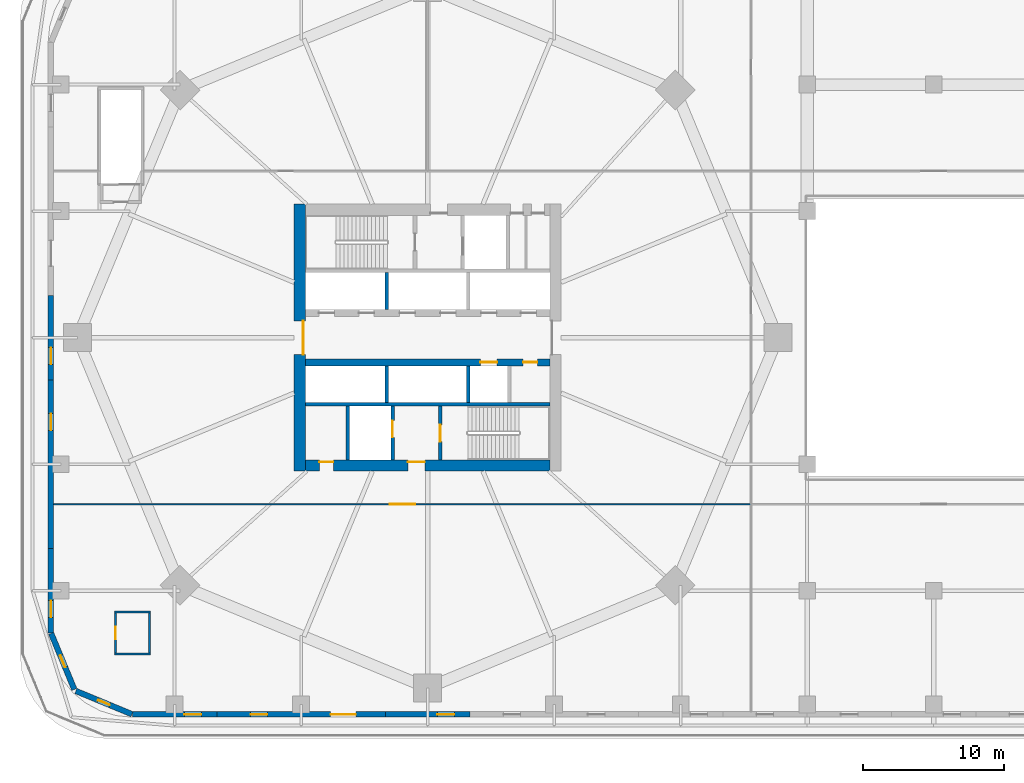
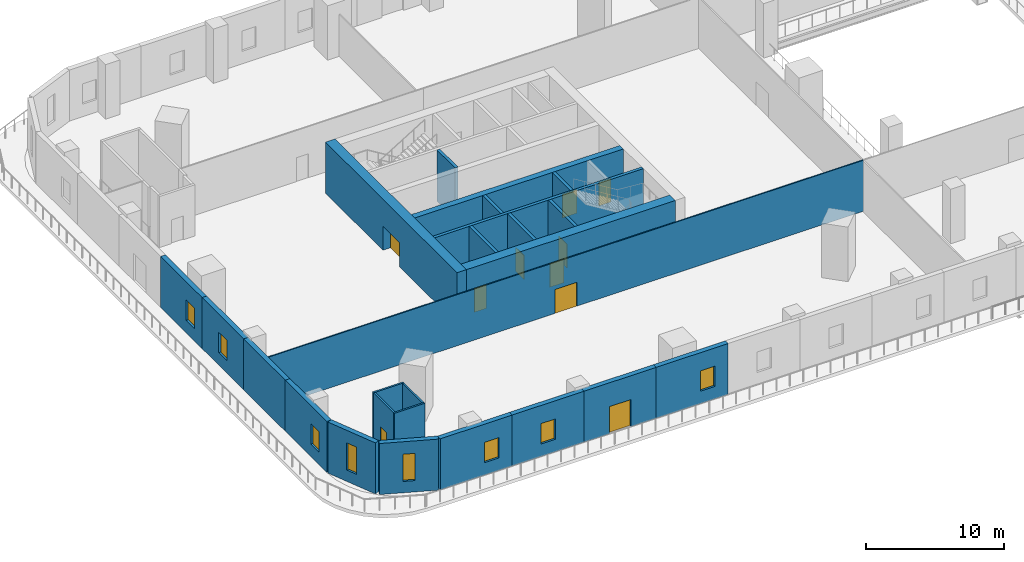
# One storey, part 4 of 16: 25 walls, 10 doors, 8 windows, 18 openings.
"""IFC4 building model written with IfcOpenShell, lengths in metres."""

from ifc_helpers import new_model, si_unit, direction, frame, frame_2d, origin, place, context, subcontext, project, spatial, rectangle, extrude, material, layer, layer_set, type_object, element, fill, save


model = new_model("IFC4")

# Units and contexts
model_context = context("Model", 3, precision=1e-05, world=origin(), true_north=direction((0.0, 1.0)))
body_context = subcontext(model_context, "Body", "Model", "MODEL_VIEW")
ifc_project = project(units=[si_unit("LENGTHUNIT", "METRE"), si_unit("AREAUNIT", "SQUARE_METRE"), si_unit("VOLUMEUNIT", "CUBIC_METRE"), si_unit("PLANEANGLEUNIT", "RADIAN"), si_unit("MASSUNIT", "GRAM", prefix="KILO")], contexts=[model_context])

# Site, building, storey
site_placement = place(None, origin())
site = spatial("IfcSite", under=ifc_project, at=site_placement, CompositionType="ELEMENT")
building_placement = place(site_placement, origin())
building = spatial("IfcBuilding", under=site, at=building_placement, Name="Ogive Gate Towers", CompositionType="ELEMENT")
storey_placement = place(building_placement, frame((0.0, 0.0, 22.800048828125)))
storey = spatial("IfcBuildingStorey", under=building, at=storey_placement, Name="L04", CompositionType="ELEMENT", Elevation=22.800048828125)

# Wall, openings, doors
ifc_material_1 = material(Name="Concrete C60/75", Category="concrete")
ifc_layer_1 = layer(ifc_material_1, 0.800048828125)
ifc_layer_set_1 = layer_set([ifc_layer_1], Name="Core wall 800 mm")
wall_type_1 = type_object("IfcWallType", Name="Core wall 800 mm", PredefinedType="SHEAR", material=ifc_layer_set_1)
wall_1_placement = place(storey_placement, frame((-44.699951171875, -9.10009765625, 0.0), z_axis=(0.0, 0.0, 1.0), x_axis=(1.0, 0.0, 0.0)))
wall_1 = element("IfcWall", 1, at=wall_1_placement, inside=storey, type_object=wall_type_1, Name="T1 L04 Core wall 800 mm", PredefinedType="SHEAR", context=body_context, shape_type="SweptSolid", body=[
    extrude(rectangle(XDim=17.39990234375, YDim=0.800048828125, at=frame_2d((8.699951171875, 0.0))), origin(), (0.0, 0.0, 1.0), 4.5),
])
opening_1_placement = place(wall_1_placement, frame((7.300048828125, 0.0, 0.0)))
opening_1 = element("IfcOpeningElement", 2, at=opening_1_placement, cuts=wall_1, Name="Opening KD-T1-L04-16", PredefinedType="OPENING", context=body_context, shape_type="SweptSolid", body=[
    extrude(rectangle(XDim=1.199951171875, YDim=2.10009765625, at=frame_2d((0.60009765625, 1.050048828125))), frame((0.0, 0.41015625, 0.0), z_axis=(0.0, -1.0, 0.0), x_axis=(1.0, 0.0, 0.0)), (0.0, 0.0, 1.0), 0.820068359375),
])
opening_2_placement = place(wall_1_placement, frame((1.0, 0.0, 0.0)))
opening_2 = element("IfcOpeningElement", 3, at=opening_2_placement, cuts=wall_1, Name="Opening KD-T1-L04-19", PredefinedType="OPENING", context=body_context, shape_type="SweptSolid", body=[
    extrude(rectangle(XDim=1.0, YDim=2.10009765625, at=frame_2d((0.5, 1.050048828125))), frame((0.0, 0.41015625, 0.0), z_axis=(0.0, -1.0, 0.0), x_axis=(1.0, 0.0, 0.0)), (0.0, 0.0, 1.0), 0.820068359375),
])
ifc_material_2 = material(Name="Timber door", Category="wood")
door_type_1 = type_object("IfcDoorType", Name="Accessible WC door 1000 x 2100", OperationType="NOTDEFINED", PredefinedType="DOOR", material=ifc_material_2)
door_1_placement = place(opening_2_placement, origin())
door_1 = element("IfcDoor", 4, at=door_1_placement, inside=storey, type_object=door_type_1, Name="T1 L04 Core door", OperationType="SINGLE_SWING_RIGHT", OverallHeight=2.10009765625, OverallWidth=1.0, PredefinedType="DOOR", context=body_context, shape_type="SweptSolid", body=[
    extrude(rectangle(XDim=1.0, YDim=2.10009765625, at=frame_2d((0.5, 1.050048828125))), frame((0.0, 0.27490234375, 0.0), z_axis=(0.0, -1.0, 0.0), x_axis=(1.0, 0.0, 0.0)), (0.0, 0.0, 1.0), 0.050048828125),
])
fill(opening_2, door_1)
ifc_material_3 = material(Name="Steel fire door", Category="steel")
door_type_2 = type_object("IfcDoorType", Name="Core door FD60S 1200 x 2100", OperationType="NOTDEFINED", PredefinedType="DOOR", material=ifc_material_3)
door_2_placement = place(opening_1_placement, origin())
door_2 = element("IfcDoor", 5, at=door_2_placement, inside=storey, type_object=door_type_2, Name="T1 L04 Fire-fighting lobby door", OperationType="SINGLE_SWING_LEFT", OverallHeight=2.10009765625, OverallWidth=1.199951171875, PredefinedType="DOOR", context=body_context, shape_type="SweptSolid", body=[
    extrude(rectangle(XDim=1.199951171875, YDim=2.10009765625, at=frame_2d((0.60009765625, 1.050048828125))), frame((0.0, 0.27490234375, 0.0), z_axis=(0.0, -1.0, 0.0), x_axis=(1.0, 0.0, 0.0)), (0.0, 0.0, 1.0), 0.050048828125),
])
fill(opening_1, door_2)

# Wall, opening, door
wall_2_placement = place(storey_placement, frame((-45.10009765625, -9.5, 0.0), z_axis=(0.0, 0.0, 1.0), x_axis=(0.0, 1.0, 0.0)))
wall_2 = element("IfcWall", 6, at=wall_2_placement, inside=storey, type_object=wall_type_1, Name="T1 L04 Core wall 800 mm", PredefinedType="SHEAR", context=body_context, shape_type="SweptSolid", body=[
    extrude(rectangle(XDim=19.0, YDim=0.800048828125, at=frame_2d((9.5, 0.0))), origin(), (0.0, 0.0, 1.0), 4.5),
])
opening_3_placement = place(wall_2_placement, frame((8.300048828125, 0.0, 0.0)))
opening_3 = element("IfcOpeningElement", 7, at=opening_3_placement, cuts=wall_2, Name="Opening KD-T1-L04-01", PredefinedType="OPENING", context=body_context, shape_type="SweptSolid", body=[
    extrude(rectangle(XDim=2.39990234375, YDim=2.10009765625, at=frame_2d((1.199951171875, 1.050048828125))), frame((0.0, 0.41015625, 0.0), z_axis=(0.0, -1.0, 0.0), x_axis=(1.0, 0.0, 0.0)), (0.0, 0.0, 1.0), 0.820068359375),
])
door_type_3 = type_object("IfcDoorType", Name="Core double door FD60S 2400 x 2100", OperationType="DOUBLE_DOOR_SINGLE_SWING", PredefinedType="DOOR", material=ifc_material_3)
door_3_placement = place(opening_3_placement, origin())
door_3 = element("IfcDoor", 8, at=door_3_placement, inside=storey, type_object=door_type_3, Name="T1 L04 Core door double", OperationType="DOUBLE_DOOR_SINGLE_SWING", OverallHeight=2.10009765625, OverallWidth=2.39990234375, PredefinedType="DOOR", context=body_context, shape_type="SweptSolid", body=[
    extrude(rectangle(XDim=2.39990234375, YDim=2.10009765625, at=frame_2d((1.199951171875, 1.050048828125))), frame((0.0, -0.22509765625, 0.0), z_axis=(0.0, -1.0, 0.0), x_axis=(1.0, 0.0, 0.0)), (0.0, 0.0, 1.0), 0.050048828125),
])
fill(opening_3, door_3)

ifc_material_4 = material(Name="Gypsum board partition")
ifc_layer_2 = layer(ifc_material_4, 0.10009765625)
ifc_layer_set_2 = layer_set([ifc_layer_2], Name="Partition wall 100")
wall_type_2 = type_object("IfcWallType", Name="Partition wall 100", PredefinedType="PARTITIONING", material=ifc_layer_set_2)
wall_3_placement = place(storey_placement, frame((-62.60009765625, -11.85009765625, 0.0), z_axis=(0.0, 0.0, 1.0), x_axis=(1.0, 0.0, 0.0)))
wall_3 = element("IfcWall", 9, at=wall_3_placement, inside=storey, type_object=wall_type_2, Name="L04 partition 035", PredefinedType="PARTITIONING", context=body_context, shape_type="SweptSolid", body=[
    extrude(rectangle(XDim=49.60009765625, YDim=0.10009765625, at=frame_2d((24.800048828125, 0.0))), origin(), (0.0, 0.0, 1.0), 4.5),
])
opening_4_placement = place(wall_3_placement, frame((23.89990234375, 0.0, 0.0)))
opening_4 = element("IfcOpeningElement", 10, at=opening_4_placement, cuts=wall_3, Name="Opening PO204", PredefinedType="OPENING", context=body_context, shape_type="SweptSolid", body=[
    extrude(rectangle(XDim=1.800048828125, YDim=2.10009765625, at=frame_2d((0.89990234375, 1.050048828125))), frame((0.0, 0.06005859375, 0.0), z_axis=(0.0, -1.0, 0.0), x_axis=(1.0, 0.0, 0.0)), (0.0, 0.0, 1.0), 0.1201171875),
])
door_type_4 = type_object("IfcDoorType", Name="Double door 1800 x 2100", OperationType="NOTDEFINED", PredefinedType="DOOR", material=ifc_material_2)
door_4_placement = place(opening_4_placement, origin())
door_4 = element("IfcDoor", 11, at=door_4_placement, inside=storey, type_object=door_type_4, Name="Door PO204", OperationType="DOUBLE_DOOR_DOUBLE_SWING", OverallHeight=2.10009765625, OverallWidth=1.800048828125, PredefinedType="DOOR", context=body_context, shape_type="SweptSolid", body=[
    extrude(rectangle(XDim=1.800048828125, YDim=2.10009765625, at=frame_2d((0.89990234375, 1.050048828125))), frame((0.0, 0.02490234375, 0.0), z_axis=(0.0, -1.0, 0.0), x_axis=(1.0, 0.0, 0.0)), (0.0, 0.0, 1.0), 0.050048828125),
])
fill(opening_4, door_4)

# Walls
ifc_material_5 = material(Name="Fire-rated gypsum board partition")
ifc_layer_3 = layer(ifc_material_5, 0.14990234375)
ifc_layer_set_3 = layer_set([ifc_layer_3], Name="Partition wall 150")
wall_type_3 = type_object("IfcWallType", Name="Partition wall 150", PredefinedType="PARTITIONING", material=ifc_layer_set_3)
for number, where, z_axis, x_axis, name in (
    (12, (-58.27490234375, -22.5, 0.0), (0.0, 0.0, 1.0), (1.0, 0.0, 0.0), "L04 partition 018"),
    (13, (-58.27490234375, -19.5, 0.0), (0.0, 0.0, 1.0), (1.0, 0.0, 0.0), "L04 partition 019"),
):
    element("IfcWall", number, at=place(storey_placement, frame(where, z_axis=z_axis, x_axis=x_axis)), inside=storey, type_object=wall_type_3, Name=name, PredefinedType="PARTITIONING", context=body_context, shape_type="SweptSolid", body=[
        extrude(rectangle(XDim=2.5498046875, YDim=0.14990234375, at=frame_2d((1.27490234375, 0.0))), origin(), (0.0, 0.0, 1.0), 4.5),
    ])

# Wall, opening, door
wall_4_placement = place(storey_placement, frame((-58.199951171875, -22.425048828125, 0.0), z_axis=(0.0, 0.0, 1.0), x_axis=(0.0, 1.0, 0.0)))
wall_4 = element("IfcWall", 14, at=wall_4_placement, inside=storey, type_object=wall_type_3, Name="L04 partition 020", PredefinedType="PARTITIONING", context=body_context, shape_type="SweptSolid", body=[
    extrude(rectangle(XDim=2.85009765625, YDim=0.14990234375, at=frame_2d((1.425048828125, 0.0))), origin(), (0.0, 0.0, 1.0), 4.5),
])
opening_5_placement = place(wall_4_placement, frame((0.97509765625, 0.0, 0.0)))
opening_5 = element("IfcOpeningElement", 15, at=opening_5_placement, cuts=wall_4, Name="Opening PO198", PredefinedType="OPENING", context=body_context, shape_type="SweptSolid", body=[
    extrude(rectangle(XDim=0.89990234375, YDim=2.10009765625, at=frame_2d((0.449951171875, 1.050048828125))), frame((0.0, 0.0849609375, 0.0), z_axis=(0.0, -1.0, 0.0), x_axis=(1.0, 0.0, 0.0)), (0.0, 0.0, 1.0), 0.169921875),
])
door_type_5 = type_object("IfcDoorType", Name="Interior fire door FD60S 900 x 2100", OperationType="NOTDEFINED", PredefinedType="DOOR", material=ifc_material_3)
door_5_placement = place(opening_5_placement, origin())
door_5 = element("IfcDoor", 16, at=door_5_placement, inside=storey, type_object=door_type_5, Name="Door PO198", OperationType="SINGLE_SWING_RIGHT", OverallHeight=2.10009765625, OverallWidth=0.89990234375, PredefinedType="DOOR", context=body_context, shape_type="SweptSolid", body=[
    extrude(rectangle(XDim=0.89990234375, YDim=2.10009765625, at=frame_2d((0.449951171875, 1.050048828125))), frame((0.0, 0.02490234375, 0.0), z_axis=(0.0, -1.0, 0.0), x_axis=(1.0, 0.0, 0.0)), (0.0, 0.0, 1.0), 0.050048828125),
])
fill(opening_5, door_5)

# Wall
wall_5_placement = place(storey_placement, frame((-55.800048828125, -22.425048828125, 0.0), z_axis=(0.0, 0.0, 1.0), x_axis=(0.0, 1.0, 0.0)))
element("IfcWall", 17, at=wall_5_placement, inside=storey, type_object=wall_type_3, Name="L04 partition 021", PredefinedType="PARTITIONING", context=body_context, shape_type="SweptSolid", body=[
    extrude(rectangle(XDim=2.85009765625, YDim=0.14990234375, at=frame_2d((1.425048828125, 0.0))), origin(), (0.0, 0.0, 1.0), 4.5),
])

# Wall, opening, window
ifc_material_6 = material(Name="Precast concrete C40/50", Category="concrete")
ifc_layer_4 = layer(ifc_material_6, 0.39990234375)
ifc_layer_set_4 = layer_set([ifc_layer_4], Name="Podium wall 400")
wall_type_4 = type_object("IfcWallType", Name="Podium wall 400", PredefinedType="SOLIDWALL", material=ifc_layer_set_4)
wall_6_placement = place(storey_placement, frame((-62.800048828125, 3.0, 0.0), z_axis=(0.0, 0.0, 1.0), x_axis=(0.0, -1.0, 0.0)))
wall_6 = element("IfcWall", 18, at=wall_6_placement, inside=storey, type_object=wall_type_4, Name="Podium wall", PredefinedType="SOLIDWALL", context=body_context, shape_type="SweptSolid", body=[
    extrude(rectangle(XDim=6.0, YDim=0.39990234375, at=frame_2d((3.0, 0.0))), origin(), (0.0, 0.0, 1.0), 4.5),
])
opening_6_placement = place(wall_6_placement, frame((3.699951171875, 0.0, 1.10009765625)))
opening_6 = element("IfcOpeningElement", 19, at=opening_6_placement, cuts=wall_6, Name="Opening WN3", PredefinedType="OPENING", context=body_context, shape_type="SweptSolid", body=[
    extrude(rectangle(XDim=1.199951171875, YDim=1.800048828125, at=frame_2d((0.60009765625, 0.89990234375))), frame((0.0, 0.2099609375, 0.0), z_axis=(0.0, -1.0, 0.0), x_axis=(1.0, 0.0, 0.0)), (0.0, 0.0, 1.0), 0.419921875),
])
ifc_material_7 = material(Name="Clear glass", Category="glass")
window_type_1 = type_object("IfcWindowType", Name="Podium window 1200 x 1800", PartitioningType="SINGLE_PANEL", PredefinedType="WINDOW", material=ifc_material_7)
window_1_placement = place(opening_6_placement, origin())
window_1 = element("IfcWindow", 20, at=window_1_placement, inside=storey, type_object=window_type_1, Name="Podium window", OverallHeight=1.800048828125, OverallWidth=1.199951171875, PartitioningType="SINGLE_PANEL", PredefinedType="WINDOW", context=body_context, shape_type="SweptSolid", body=[
    extrude(rectangle(XDim=1.199951171875, YDim=1.800048828125, at=frame_2d((0.60009765625, 0.89990234375))), frame((0.0, 0.030029296875, 0.0), z_axis=(0.0, -1.0, 0.0), x_axis=(1.0, 0.0, 0.0)), (0.0, 0.0, 1.0), 0.06005859375),
])
fill(opening_6, window_1)

wall_7_placement = place(storey_placement, frame((-62.800048828125, -3.0, 0.0), z_axis=(0.0, 0.0, 1.0), x_axis=(0.0, -1.0, 0.0)))
wall_7 = element("IfcWall", 21, at=wall_7_placement, inside=storey, type_object=wall_type_4, Name="Podium wall", PredefinedType="SOLIDWALL", context=body_context, shape_type="SweptSolid", body=[
    extrude(rectangle(XDim=6.0, YDim=0.39990234375, at=frame_2d((3.0, 0.0))), origin(), (0.0, 0.0, 1.0), 4.5),
])
opening_7_placement = place(wall_7_placement, frame((2.39990234375, 0.0, 1.10009765625)))
opening_7 = element("IfcOpeningElement", 22, at=opening_7_placement, cuts=wall_7, Name="Opening WN3", PredefinedType="OPENING", context=body_context, shape_type="SweptSolid", body=[
    extrude(rectangle(XDim=1.199951171875, YDim=1.800048828125, at=frame_2d((0.60009765625, 0.89990234375))), frame((0.0, 0.2099609375, 0.0), z_axis=(0.0, -1.0, 0.0), x_axis=(1.0, 0.0, 0.0)), (0.0, 0.0, 1.0), 0.419921875),
])
window_2_placement = place(opening_7_placement, origin())
window_2 = element("IfcWindow", 23, at=window_2_placement, inside=storey, type_object=window_type_1, Name="Podium window", OverallHeight=1.800048828125, OverallWidth=1.199951171875, PartitioningType="SINGLE_PANEL", PredefinedType="WINDOW", context=body_context, shape_type="SweptSolid", body=[
    extrude(rectangle(XDim=1.199951171875, YDim=1.800048828125, at=frame_2d((0.60009765625, 0.89990234375))), frame((0.0, 0.030029296875, 0.0), z_axis=(0.0, -1.0, 0.0), x_axis=(1.0, 0.0, 0.0)), (0.0, 0.0, 1.0), 0.06005859375),
])
fill(opening_7, window_2)

# Wall
wall_8_placement = place(storey_placement, frame((-62.800048828125, -9.0, 0.0), z_axis=(0.0, 0.0, 1.0), x_axis=(0.0, -1.0, 0.0)))
element("IfcWall", 24, at=wall_8_placement, inside=storey, type_object=wall_type_4, Name="Podium wall", PredefinedType="SOLIDWALL", context=body_context, shape_type="SweptSolid", body=[
    extrude(rectangle(XDim=6.0, YDim=0.39990234375, at=frame_2d((3.0, 0.0))), origin(), (0.0, 0.0, 1.0), 4.5),
])

# Wall, opening, window
wall_9_placement = place(storey_placement, frame((-62.800048828125, -15.0, 0.0), z_axis=(0.0, 0.0, 1.0), x_axis=(0.0, -1.0, 0.0)))
wall_9 = element("IfcWall", 25, at=wall_9_placement, inside=storey, type_object=wall_type_4, Name="Podium wall", PredefinedType="SOLIDWALL", context=body_context, shape_type="SweptSolid", body=[
    extrude(rectangle(XDim=6.0, YDim=0.39990234375, at=frame_2d((3.0, 0.0))), origin(), (0.0, 0.0, 1.0), 4.5),
])
opening_8_placement = place(wall_9_placement, frame((3.699951171875, 0.0, 1.10009765625)))
opening_8 = element("IfcOpeningElement", 26, at=opening_8_placement, cuts=wall_9, Name="Opening WN3", PredefinedType="OPENING", context=body_context, shape_type="SweptSolid", body=[
    extrude(rectangle(XDim=1.199951171875, YDim=1.800048828125, at=frame_2d((0.60009765625, 0.89990234375))), frame((0.0, 0.2099609375, 0.0), z_axis=(0.0, -1.0, 0.0), x_axis=(1.0, 0.0, 0.0)), (0.0, 0.0, 1.0), 0.419921875),
])
window_3_placement = place(opening_8_placement, origin())
window_3 = element("IfcWindow", 27, at=window_3_placement, inside=storey, type_object=window_type_1, Name="Podium window", OverallHeight=1.800048828125, OverallWidth=1.199951171875, PartitioningType="SINGLE_PANEL", PredefinedType="WINDOW", context=body_context, shape_type="SweptSolid", body=[
    extrude(rectangle(XDim=1.199951171875, YDim=1.800048828125, at=frame_2d((0.60009765625, 0.89990234375))), frame((0.0, 0.030029296875, 0.0), z_axis=(0.0, -1.0, 0.0), x_axis=(1.0, 0.0, 0.0)), (0.0, 0.0, 1.0), 0.06005859375),
])
fill(opening_8, window_3)

wall_10_placement = place(storey_placement, frame((-62.784912109375, -21.036865234375, 0.0), z_axis=(0.0, 0.0, 1.0), x_axis=(0.382743086333, -0.923854820772, 0.0)))
wall_10 = element("IfcWall", 28, at=wall_10_placement, inside=storey, type_object=wall_type_4, Name="Podium wall", PredefinedType="SOLIDWALL", context=body_context, shape_type="SweptSolid", body=[
    extrude(rectangle(XDim=4.31640625, YDim=0.39990234375, at=frame_2d((2.158203125, 0.0))), origin(), (0.0, 0.0, 1.0), 4.5),
])
opening_9_placement = place(wall_10_placement, frame((1.708251953125, 0.0, 1.0)))
opening_9 = element("IfcOpeningElement", 29, at=opening_9_placement, cuts=wall_10, Name="Opening WN5", PredefinedType="OPENING", context=body_context, shape_type="SweptSolid", body=[
    extrude(rectangle(XDim=0.89990234375, YDim=2.39990234375, at=frame_2d((0.449951171875, 1.199951171875))), frame((0.0, 0.2099609375, 0.0), z_axis=(0.0, -1.0, 0.0), x_axis=(1.0, 0.0, 0.0)), (0.0, 0.0, 1.0), 0.419921875),
])
window_type_2 = type_object("IfcWindowType", Name="Narrow window 900 x 2400", PartitioningType="SINGLE_PANEL", PredefinedType="WINDOW", material=ifc_material_7)
window_4_placement = place(opening_9_placement, origin())
window_4 = element("IfcWindow", 30, at=window_4_placement, inside=storey, type_object=window_type_2, Name="Podium window", OverallHeight=2.39990234375, OverallWidth=0.89990234375, PartitioningType="SINGLE_PANEL", PredefinedType="WINDOW", context=body_context, shape_type="SweptSolid", body=[
    extrude(rectangle(XDim=0.89990234375, YDim=2.39990234375, at=frame_2d((0.449951171875, 1.199951171875))), frame((0.0, 0.030029296875, 0.0), z_axis=(0.0, -1.0, 0.0), x_axis=(1.0, 0.0, 0.0)), (0.0, 0.0, 1.0), 0.06005859375),
])
fill(opening_9, window_4)

wall_11_placement = place(storey_placement, frame((-61.024658203125, -25.1328125, 0.0), z_axis=(0.0, 0.0, 1.0), x_axis=(0.923854820772, -0.382743086333, 0.0)))
wall_11 = element("IfcWall", 31, at=wall_11_placement, inside=storey, type_object=wall_type_4, Name="Podium wall", PredefinedType="SOLIDWALL", context=body_context, shape_type="SweptSolid", body=[
    extrude(rectangle(XDim=4.31640625, YDim=0.39990234375, at=frame_2d((2.158203125, 0.0))), origin(), (0.0, 0.0, 1.0), 4.5),
])
opening_10_placement = place(wall_11_placement, frame((1.708251953125, 0.0, 1.0)))
opening_10 = element("IfcOpeningElement", 32, at=opening_10_placement, cuts=wall_11, Name="Opening WN5", PredefinedType="OPENING", context=body_context, shape_type="SweptSolid", body=[
    extrude(rectangle(XDim=0.89990234375, YDim=2.39990234375, at=frame_2d((0.449951171875, 1.199951171875))), frame((0.0, 0.2099609375, 0.0), z_axis=(0.0, -1.0, 0.0), x_axis=(1.0, 0.0, 0.0)), (0.0, 0.0, 1.0), 0.419921875),
])
window_5_placement = place(opening_10_placement, origin())
window_5 = element("IfcWindow", 33, at=window_5_placement, inside=storey, type_object=window_type_2, Name="Podium window", OverallHeight=2.39990234375, OverallWidth=0.89990234375, PartitioningType="SINGLE_PANEL", PredefinedType="WINDOW", context=body_context, shape_type="SweptSolid", body=[
    extrude(rectangle(XDim=0.89990234375, YDim=2.39990234375, at=frame_2d((0.449951171875, 1.199951171875))), frame((0.0, 0.030029296875, 0.0), z_axis=(0.0, -1.0, 0.0), x_axis=(1.0, 0.0, 0.0)), (0.0, 0.0, 1.0), 0.06005859375),
])
fill(opening_10, window_5)

wall_12_placement = place(storey_placement, frame((-57.0, -26.800048828125, 0.0), z_axis=(0.0, 0.0, 1.0), x_axis=(1.0, 0.0, 0.0)))
wall_12 = element("IfcWall", 34, at=wall_12_placement, inside=storey, type_object=wall_type_4, Name="Podium wall", PredefinedType="SOLIDWALL", context=body_context, shape_type="SweptSolid", body=[
    extrude(rectangle(XDim=6.0, YDim=0.39990234375, at=frame_2d((3.0, 0.0))), origin(), (0.0, 0.0, 1.0), 4.5),
])
opening_11_placement = place(wall_12_placement, frame((3.699951171875, 0.0, 1.10009765625)))
opening_11 = element("IfcOpeningElement", 35, at=opening_11_placement, cuts=wall_12, Name="Opening WN3", PredefinedType="OPENING", context=body_context, shape_type="SweptSolid", body=[
    extrude(rectangle(XDim=1.199951171875, YDim=1.800048828125, at=frame_2d((0.60009765625, 0.89990234375))), frame((0.0, 0.2099609375, 0.0), z_axis=(0.0, -1.0, 0.0), x_axis=(1.0, 0.0, 0.0)), (0.0, 0.0, 1.0), 0.419921875),
])
window_6_placement = place(opening_11_placement, origin())
window_6 = element("IfcWindow", 36, at=window_6_placement, inside=storey, type_object=window_type_1, Name="Podium window", OverallHeight=1.800048828125, OverallWidth=1.199951171875, PartitioningType="SINGLE_PANEL", PredefinedType="WINDOW", context=body_context, shape_type="SweptSolid", body=[
    extrude(rectangle(XDim=1.199951171875, YDim=1.800048828125, at=frame_2d((0.60009765625, 0.89990234375))), frame((0.0, 0.030029296875, 0.0), z_axis=(0.0, -1.0, 0.0), x_axis=(1.0, 0.0, 0.0)), (0.0, 0.0, 1.0), 0.06005859375),
])
fill(opening_11, window_6)

wall_13_placement = place(storey_placement, frame((-51.0, -26.800048828125, 0.0), z_axis=(0.0, 0.0, 1.0), x_axis=(1.0, 0.0, 0.0)))
wall_13 = element("IfcWall", 37, at=wall_13_placement, inside=storey, type_object=wall_type_4, Name="Podium wall", PredefinedType="SOLIDWALL", context=body_context, shape_type="SweptSolid", body=[
    extrude(rectangle(XDim=6.0, YDim=0.39990234375, at=frame_2d((3.0, 0.0))), origin(), (0.0, 0.0, 1.0), 4.5),
])
opening_12_placement = place(wall_13_placement, frame((2.39990234375, 0.0, 1.10009765625)))
opening_12 = element("IfcOpeningElement", 38, at=opening_12_placement, cuts=wall_13, Name="Opening WN3", PredefinedType="OPENING", context=body_context, shape_type="SweptSolid", body=[
    extrude(rectangle(XDim=1.199951171875, YDim=1.800048828125, at=frame_2d((0.60009765625, 0.89990234375))), frame((0.0, 0.2099609375, 0.0), z_axis=(0.0, -1.0, 0.0), x_axis=(1.0, 0.0, 0.0)), (0.0, 0.0, 1.0), 0.419921875),
])
window_7_placement = place(opening_12_placement, origin())
window_7 = element("IfcWindow", 39, at=window_7_placement, inside=storey, type_object=window_type_1, Name="Podium window", OverallHeight=1.800048828125, OverallWidth=1.199951171875, PartitioningType="SINGLE_PANEL", PredefinedType="WINDOW", context=body_context, shape_type="SweptSolid", body=[
    extrude(rectangle(XDim=1.199951171875, YDim=1.800048828125, at=frame_2d((0.60009765625, 0.89990234375))), frame((0.0, 0.030029296875, 0.0), z_axis=(0.0, -1.0, 0.0), x_axis=(1.0, 0.0, 0.0)), (0.0, 0.0, 1.0), 0.06005859375),
])
fill(opening_12, window_7)

# Wall, opening, door
wall_14_placement = place(storey_placement, frame((-45.0, -26.800048828125, 0.0), z_axis=(0.0, 0.0, 1.0), x_axis=(1.0, 0.0, 0.0)))
wall_14 = element("IfcWall", 40, at=wall_14_placement, inside=storey, type_object=wall_type_4, Name="Podium wall", PredefinedType="SOLIDWALL", context=body_context, shape_type="SweptSolid", body=[
    extrude(rectangle(XDim=6.0, YDim=0.39990234375, at=frame_2d((3.0, 0.0))), origin(), (0.0, 0.0, 1.0), 4.5),
])
opening_13_placement = place(wall_14_placement, frame((2.10009765625, 0.0, 0.0)))
opening_13 = element("IfcOpeningElement", 41, at=opening_13_placement, cuts=wall_14, Name="Opening ED3-L04-05", PredefinedType="OPENING", context=body_context, shape_type="SweptSolid", body=[
    extrude(rectangle(XDim=1.800048828125, YDim=2.39990234375, at=frame_2d((0.89990234375, 1.199951171875))), frame((0.0, 0.2099609375, 0.0), z_axis=(0.0, -1.0, 0.0), x_axis=(1.0, 0.0, 0.0)), (0.0, 0.0, 1.0), 0.419921875),
])
ifc_material_8 = material(Name="Pale metal aluminium", Category="aluminium")
door_type_6 = type_object("IfcDoorType", Name="Terrace door 1800 x 2400", OperationType="DOUBLE_DOOR_SINGLE_SWING", PredefinedType="DOOR", material=ifc_material_8)
door_6_placement = place(opening_13_placement, origin())
door_6 = element("IfcDoor", 42, at=door_6_placement, inside=storey, type_object=door_type_6, Name="Exterior door", OperationType="SINGLE_SWING_LEFT", OverallHeight=2.39990234375, OverallWidth=1.800048828125, PredefinedType="DOOR", context=body_context, shape_type="SweptSolid", body=[
    extrude(rectangle(XDim=1.800048828125, YDim=2.39990234375, at=frame_2d((0.89990234375, 1.199951171875))), frame((0.0, 0.02490234375, 0.0), z_axis=(0.0, -1.0, 0.0), x_axis=(1.0, 0.0, 0.0)), (0.0, 0.0, 1.0), 0.050048828125),
])
fill(opening_13, door_6)

# Wall, opening, window
wall_15_placement = place(storey_placement, frame((-39.0, -26.800048828125, 0.0), z_axis=(0.0, 0.0, 1.0), x_axis=(1.0, 0.0, 0.0)))
wall_15 = element("IfcWall", 43, at=wall_15_placement, inside=storey, type_object=wall_type_4, Name="Podium wall", PredefinedType="SOLIDWALL", context=body_context, shape_type="SweptSolid", body=[
    extrude(rectangle(XDim=6.0, YDim=0.39990234375, at=frame_2d((3.0, 0.0))), origin(), (0.0, 0.0, 1.0), 4.5),
])
opening_14_placement = place(wall_15_placement, frame((3.699951171875, 0.0, 1.10009765625)))
opening_14 = element("IfcOpeningElement", 44, at=opening_14_placement, cuts=wall_15, Name="Opening WN3", PredefinedType="OPENING", context=body_context, shape_type="SweptSolid", body=[
    extrude(rectangle(XDim=1.199951171875, YDim=1.800048828125, at=frame_2d((0.60009765625, 0.89990234375))), frame((0.0, 0.2099609375, 0.0), z_axis=(0.0, -1.0, 0.0), x_axis=(1.0, 0.0, 0.0)), (0.0, 0.0, 1.0), 0.419921875),
])
window_8_placement = place(opening_14_placement, origin())
window_8 = element("IfcWindow", 45, at=window_8_placement, inside=storey, type_object=window_type_1, Name="Podium window", OverallHeight=1.800048828125, OverallWidth=1.199951171875, PartitioningType="SINGLE_PANEL", PredefinedType="WINDOW", context=body_context, shape_type="SweptSolid", body=[
    extrude(rectangle(XDim=1.199951171875, YDim=1.800048828125, at=frame_2d((0.60009765625, 0.89990234375))), frame((0.0, 0.030029296875, 0.0), z_axis=(0.0, -1.0, 0.0), x_axis=(1.0, 0.0, 0.0)), (0.0, 0.0, 1.0), 0.06005859375),
])
fill(opening_14, window_8)

# Walls
ifc_layer_5 = layer(ifc_material_1, 0.25)
ifc_layer_set_5 = layer_set([ifc_layer_5], Name="Shaft wall 250 mm")
wall_type_5 = type_object("IfcWallType", Name="Shaft wall 250 mm", PredefinedType="SHEAR", material=ifc_layer_set_5)
wall_16_placement = place(storey_placement, frame((-44.699951171875, -4.75, 0.0), z_axis=(0.0, 0.0, 1.0), x_axis=(1.0, 0.0, 0.0)))
element("IfcWall", 46, at=wall_16_placement, inside=storey, type_object=wall_type_5, Name="T1 L04 Shaft wall 250 mm", PredefinedType="SHEAR", context=body_context, shape_type="SweptSolid", body=[
    extrude(rectangle(XDim=17.39990234375, YDim=0.25, at=frame_2d((8.699951171875, 0.0))), origin(), (0.0, 0.0, 1.0), 4.5),
])
wall_17_placement = place(storey_placement, frame((-41.699951171875, -8.699951171875, 0.0), z_axis=(0.0, 0.0, 1.0), x_axis=(0.0, 1.0, 0.0)))
element("IfcWall", 47, at=wall_17_placement, inside=storey, type_object=wall_type_5, Name="T1 L04 Shaft wall 250 mm", PredefinedType="SHEAR", context=body_context, shape_type="SweptSolid", body=[
    extrude(rectangle(XDim=3.824951171875, YDim=0.25, at=frame_2d((1.91259765625, 0.0))), origin(), (0.0, 0.0, 1.0), 4.5),
])
for number, where, z_axis, x_axis, name in (
    (48, (-38.89990234375, -4.625, 0.0), (0.0, 0.0, 1.0), (0.0, 1.0, 0.0), "T1 L04 Shaft wall 250 mm"),
    (49, (-38.89990234375, 2.0, 0.0), (0.0, 0.0, 1.0), (0.0, 1.0, 0.0), "T1 L04 Shaft wall 250 mm"),
):
    element("IfcWall", number, at=place(storey_placement, frame(where, z_axis=z_axis, x_axis=x_axis)), inside=storey, type_object=wall_type_5, Name=name, PredefinedType="SHEAR", context=body_context, shape_type="SweptSolid", body=[
        extrude(rectangle(XDim=2.625, YDim=0.25, at=frame_2d((1.3125, 0.0))), origin(), (0.0, 0.0, 1.0), 4.5),
    ])

# Wall, opening, door
wall_18_placement = place(storey_placement, frame((-38.5, -8.699951171875, 0.0), z_axis=(0.0, 0.0, 1.0), x_axis=(0.0, 1.0, 0.0)))
wall_18 = element("IfcWall", 50, at=wall_18_placement, inside=storey, type_object=wall_type_5, Name="T1 L04 Shaft wall 250 mm", PredefinedType="SHEAR", context=body_context, shape_type="SweptSolid", body=[
    extrude(rectangle(XDim=3.824951171875, YDim=0.25, at=frame_2d((1.91259765625, 0.0))), origin(), (0.0, 0.0, 1.0), 4.5),
])
opening_15_placement = place(wall_18_placement, frame((1.60009765625, 0.0, 0.0)))
opening_15 = element("IfcOpeningElement", 51, at=opening_15_placement, cuts=wall_18, Name="Opening LD-T1-L04-11", PredefinedType="OPENING", context=body_context, shape_type="SweptSolid", body=[
    extrude(rectangle(XDim=1.199951171875, YDim=2.10009765625, at=frame_2d((0.60009765625, 1.050048828125))), frame((0.0, 0.135009765625, 0.0), z_axis=(0.0, -1.0, 0.0), x_axis=(1.0, 0.0, 0.0)), (0.0, 0.0, 1.0), 0.27001953125),
])
ifc_material_9 = material(Name="Stainless steel landing door", Category="steel")
door_type_7 = type_object("IfcDoorType", Name="Landing door 1200 x 2100", OperationType="SLIDING_TO_LEFT", PredefinedType="DOOR", material=ifc_material_9)
door_7_placement = place(opening_15_placement, origin())
door_7 = element("IfcDoor", 52, at=door_7_placement, inside=storey, type_object=door_type_7, Name="T1 L04 Lift landing door FF2", OperationType="SLIDING_TO_LEFT", OverallHeight=2.10009765625, OverallWidth=1.199951171875, PredefinedType="DOOR", context=body_context, shape_type="SweptSolid", body=[
    extrude(rectangle(XDim=1.199951171875, YDim=2.10009765625, at=frame_2d((0.60009765625, 1.050048828125))), frame((0.0, 0.02490234375, 0.0), z_axis=(0.0, -1.0, 0.0), x_axis=(1.0, 0.0, 0.0)), (0.0, 0.0, 1.0), 0.050048828125),
])
fill(opening_15, door_7)

wall_19_placement = place(storey_placement, frame((-35.10009765625, -8.699951171875, 0.0), z_axis=(0.0, 0.0, 1.0), x_axis=(0.0, 1.0, 0.0)))
wall_19 = element("IfcWall", 53, at=wall_19_placement, inside=storey, type_object=wall_type_5, Name="T1 L04 Shaft wall 250 mm", PredefinedType="SHEAR", context=body_context, shape_type="SweptSolid", body=[
    extrude(rectangle(XDim=3.824951171875, YDim=0.25, at=frame_2d((1.91259765625, 0.0))), origin(), (0.0, 0.0, 1.0), 4.5),
])
opening_16_placement = place(wall_19_placement, frame((1.300048828125, 0.0, 0.0)))
opening_16 = element("IfcOpeningElement", 54, at=opening_16_placement, cuts=wall_19, Name="Opening KD-T1-L04-14", PredefinedType="OPENING", context=body_context, shape_type="SweptSolid", body=[
    extrude(rectangle(XDim=1.199951171875, YDim=2.10009765625, at=frame_2d((0.60009765625, 1.050048828125))), frame((0.0, 0.135009765625, 0.0), z_axis=(0.0, -1.0, 0.0), x_axis=(1.0, 0.0, 0.0)), (0.0, 0.0, 1.0), 0.27001953125),
])
door_8_placement = place(opening_16_placement, origin())
door_8 = element("IfcDoor", 55, at=door_8_placement, inside=storey, type_object=door_type_2, Name="T1 L04 Stair door", OperationType="SINGLE_SWING_LEFT", OverallHeight=2.10009765625, OverallWidth=1.199951171875, PredefinedType="DOOR", context=body_context, shape_type="SweptSolid", body=[
    extrude(rectangle(XDim=1.199951171875, YDim=2.10009765625, at=frame_2d((0.60009765625, 1.050048828125))), frame((0.0, 0.02490234375, 0.0), z_axis=(0.0, -1.0, 0.0), x_axis=(1.0, 0.0, 0.0)), (0.0, 0.0, 1.0), 0.050048828125),
])
fill(opening_16, door_8)

# Wall
wall_20_placement = place(storey_placement, frame((-33.10009765625, -4.625, 0.0), z_axis=(0.0, 0.0, 1.0), x_axis=(0.0, 1.0, 0.0)))
element("IfcWall", 56, at=wall_20_placement, inside=storey, type_object=wall_type_5, Name="T1 L04 Shaft wall 250 mm", PredefinedType="SHEAR", context=body_context, shape_type="SweptSolid", body=[
    extrude(rectangle(XDim=2.625, YDim=0.25, at=frame_2d((1.3125, 0.0))), origin(), (0.0, 0.0, 1.0), 4.5),
])

# Wall, openings, doors
ifc_layer_6 = layer(ifc_material_1, 0.5)
ifc_layer_set_6 = layer_set([ifc_layer_6], Name="Spine wall 500 mm")
wall_type_6 = type_object("IfcWallType", Name="Spine wall 500 mm", PredefinedType="SHEAR", material=ifc_layer_set_6)
wall_21_placement = place(storey_placement, frame((-44.699951171875, -1.75, 0.0), z_axis=(0.0, 0.0, 1.0), x_axis=(1.0, 0.0, 0.0)))
wall_21 = element("IfcWall", 57, at=wall_21_placement, inside=storey, type_object=wall_type_6, Name="T1 L04 Spine wall 500 mm", PredefinedType="SHEAR", context=body_context, shape_type="SweptSolid", body=[
    extrude(rectangle(XDim=17.39990234375, YDim=0.5, at=frame_2d((8.699951171875, 0.0))), origin(), (0.0, 0.0, 1.0), 4.5),
])
opening_17_placement = place(wall_21_placement, frame((12.449951171875, 0.0, 0.0)))
opening_17 = element("IfcOpeningElement", 58, at=opening_17_placement, cuts=wall_21, Name="Opening LD-T1-L04-09", PredefinedType="OPENING", context=body_context, shape_type="SweptSolid", body=[
    extrude(rectangle(XDim=1.199951171875, YDim=2.10009765625, at=frame_2d((0.60009765625, 1.050048828125))), frame((0.0, 0.260009765625, 0.0), z_axis=(0.0, -1.0, 0.0), x_axis=(1.0, 0.0, 0.0)), (0.0, 0.0, 1.0), 0.52001953125),
])
opening_18_placement = place(wall_21_placement, frame((15.5, 0.0, 0.0)))
opening_18 = element("IfcOpeningElement", 59, at=opening_18_placement, cuts=wall_21, Name="Opening KD-T1-L04-12", PredefinedType="OPENING", context=body_context, shape_type="SweptSolid", body=[
    extrude(rectangle(XDim=1.0, YDim=2.10009765625, at=frame_2d((0.5, 1.050048828125))), frame((0.0, 0.260009765625, 0.0), z_axis=(0.0, -1.0, 0.0), x_axis=(1.0, 0.0, 0.0)), (0.0, 0.0, 1.0), 0.52001953125),
])
door_type_8 = type_object("IfcDoorType", Name="Core door FD60S 1000 x 2100", OperationType="NOTDEFINED", PredefinedType="DOOR", material=ifc_material_3)
door_9_placement = place(opening_18_placement, origin())
door_9 = element("IfcDoor", 60, at=door_9_placement, inside=storey, type_object=door_type_8, Name="T1 L04 Core door", OperationType="SINGLE_SWING_LEFT", OverallHeight=2.10009765625, OverallWidth=1.0, PredefinedType="DOOR", context=body_context, shape_type="SweptSolid", body=[
    extrude(rectangle(XDim=1.0, YDim=2.10009765625, at=frame_2d((0.5, 1.050048828125))), frame((0.0, 0.02490234375, 0.0), z_axis=(0.0, -1.0, 0.0), x_axis=(1.0, 0.0, 0.0)), (0.0, 0.0, 1.0), 0.050048828125),
])
fill(opening_18, door_9)
door_10_placement = place(opening_17_placement, origin())
door_10 = element("IfcDoor", 61, at=door_10_placement, inside=storey, type_object=door_type_7, Name="T1 L04 Lift landing door SVC", OperationType="SLIDING_TO_LEFT", OverallHeight=2.10009765625, OverallWidth=1.199951171875, PredefinedType="DOOR", context=body_context, shape_type="SweptSolid", body=[
    extrude(rectangle(XDim=1.199951171875, YDim=2.10009765625, at=frame_2d((0.60009765625, 1.050048828125))), frame((0.0, 0.02490234375, 0.0), z_axis=(0.0, -1.0, 0.0), x_axis=(1.0, 0.0, 0.0)), (0.0, 0.0, 1.0), 0.050048828125),
])
fill(opening_17, door_10)

save(model, "model.ifc")
